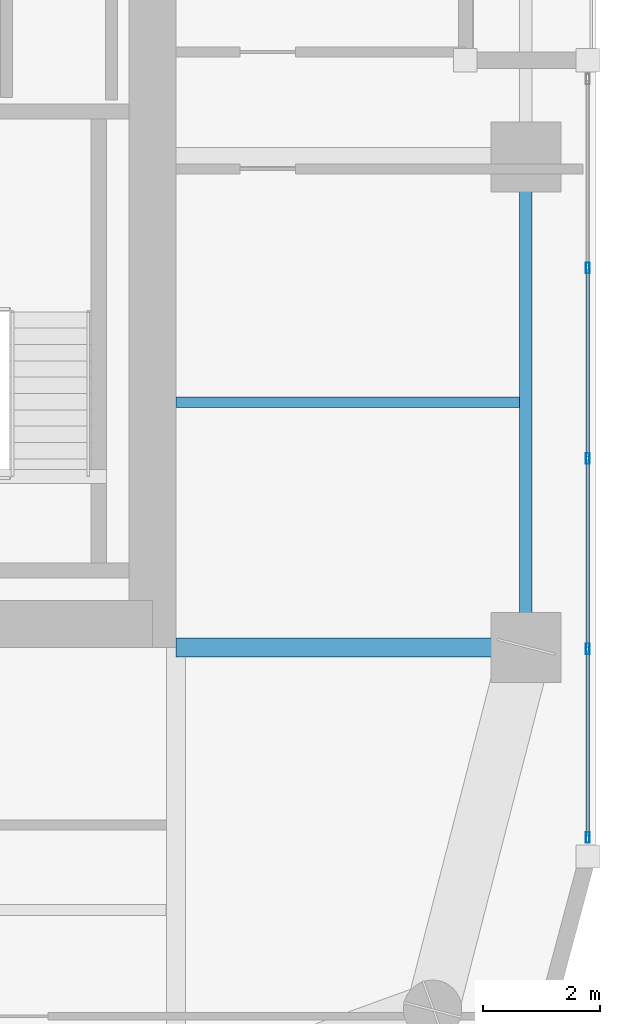
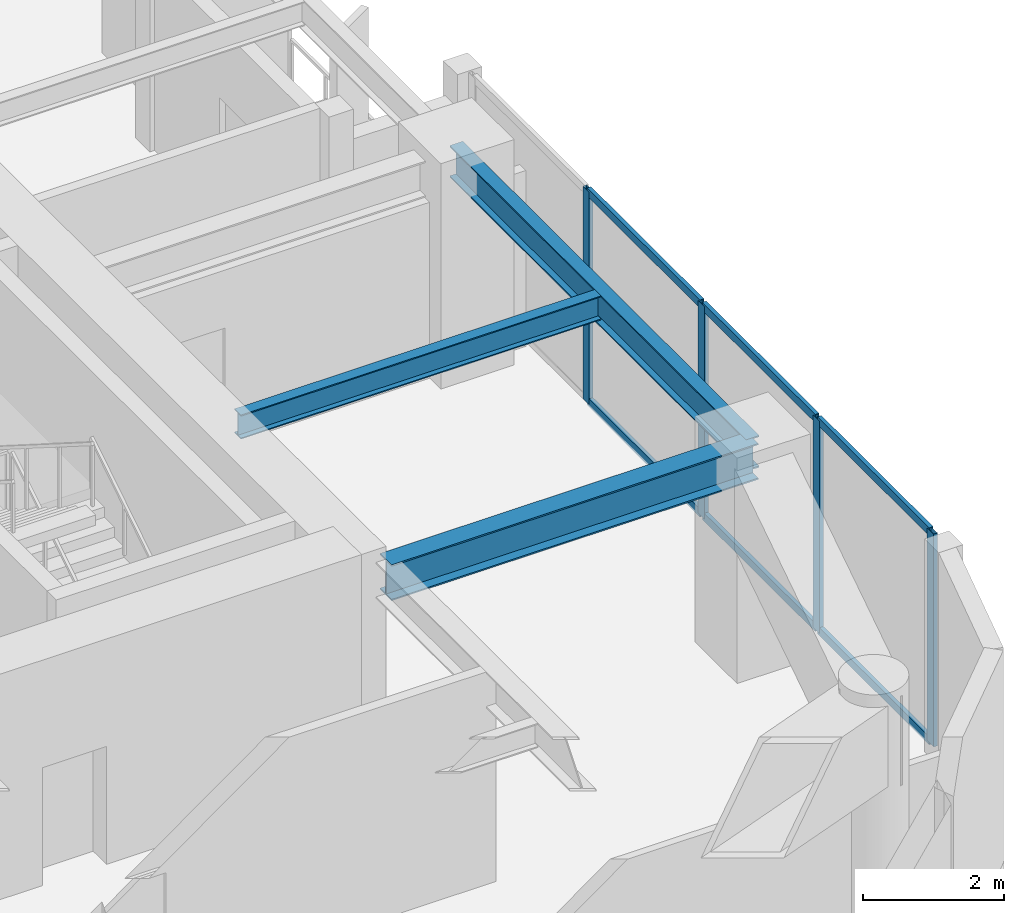
# One storey, part 9 of 30: 10 members, 3 beams, 1 element without a shape of its own.
"""IFC4 building model written with IfcOpenShell, lengths in metres."""

from ifc_helpers import new_model, si_unit, direction, frame, origin, origin_2d, place, context, subcontext, project, spatial, hollow_rectangle, i_section, extrude, material, layer, layer_set, material_profile, profile_set, type_object, element, aggregate, save


model = new_model("IFC4")

# Units and contexts
model_context = context("Model", 3, precision=1e-05, world=origin(), true_north=direction((0.0, 1.0)))
body_context = subcontext(model_context, "Body", "Model", "MODEL_VIEW")
ifc_project = project(units=[si_unit("LENGTHUNIT", "METRE"), si_unit("AREAUNIT", "SQUARE_METRE"), si_unit("VOLUMEUNIT", "CUBIC_METRE"), si_unit("PLANEANGLEUNIT", "RADIAN"), si_unit("MASSUNIT", "GRAM", prefix="KILO")], contexts=[model_context])

# Site, building, storey
site_placement = place(None, origin())
site = spatial("IfcSite", under=ifc_project, at=site_placement, CompositionType="ELEMENT")
building_placement = place(site_placement, origin())
building = spatial("IfcBuilding", under=site, at=building_placement, Name="Kiyonajd Concourse Tower", CompositionType="ELEMENT")
storey_placement = place(building_placement, frame((0.0, 0.0, 174.0)))
storey = spatial("IfcBuildingStorey", under=building, at=storey_placement, Name="L44", CompositionType="ELEMENT", Elevation=174.0)

# Beams
ifc_material_1 = material(Name="Steel ASTM A992 Grade 50", Category="steel")
ifc_material_profile_1 = material_profile(ifc_material_1, i_section(OverallWidth=0.180908203125, OverallDepth=0.4169921875, WebThickness=0.010986328125, FlangeThickness=0.018310546875, at=origin_2d()), Name="W410X85")
ifc_profile_set_1 = profile_set([ifc_material_profile_1], Name="Steel ASTM A992 Grade 50")
beam_type_1 = type_object("IfcBeamType", Name="BM-JST-410", PredefinedType="JOIST", material=ifc_profile_set_1)
beam_1_placement = place(storey_placement, frame((63.60009765625, 31.800048828125, 3.471435546875), z_axis=(1.0, 0.0, 0.0), x_axis=(0.0, 1.0, 0.0)))
element("IfcBeam", 1, at=beam_1_placement, inside=storey, type_object=beam_type_1, Name="L44 East Secondary Floor Joist", PredefinedType="JOIST", context=body_context, shape_type="SweptSolid", body=[
    extrude(i_section(OverallWidth=0.180908203125, OverallDepth=0.4169921875, WebThickness=0.010986328125, FlangeThickness=0.018310546875, at=origin_2d()), origin(), (0.0, 0.0, 1.0), 5.892822265625),
])
ifc_material_profile_2 = material_profile(ifc_material_1, i_section(OverallWidth=0.214111328125, OverallDepth=0.549072265625, WebThickness=0.0146484375, FlangeThickness=0.023681640625, at=origin_2d()), Name="W530X138")
ifc_profile_set_2 = profile_set([ifc_material_profile_2], Name="Steel ASTM A992 Grade 50")
beam_type_2 = type_object("IfcBeamType", Name="BM-SPAN-530A", PredefinedType="SPANDREL", material=ifc_profile_set_2)
beam_2_placement = place(storey_placement, frame((69.60009765625, 27.60009765625, 3.405517578125), z_axis=(0.0, 1.0, 0.0), x_axis=(-1.0, 0.0, 0.0)))
element("IfcBeam", 2, at=beam_2_placement, inside=storey, type_object=beam_type_2, Name="L44 Perimeter Bundled Tube Spandrel", PredefinedType="SPANDREL", context=body_context, shape_type="SweptSolid", body=[
    extrude(i_section(OverallWidth=0.214111328125, OverallDepth=0.549072265625, WebThickness=0.0146484375, FlangeThickness=0.023681640625, at=origin_2d()), origin(), (0.0, 0.0, 1.0), 8.39990234375),
])
ifc_material_profile_3 = material_profile(ifc_material_1, i_section(OverallWidth=0.326904296875, OverallDepth=0.6220703125, WebThickness=0.015380859375, FlangeThickness=0.0244140625, at=origin_2d()), Name="W610X195")
ifc_profile_set_3 = profile_set([ifc_material_profile_3], Name="Steel ASTM A992 Grade 50")
beam_type_3 = type_object("IfcBeamType", Name="BM-TWR-610A", PredefinedType="BEAM", material=ifc_profile_set_3)
beam_3_placement = place(storey_placement, frame((63.60009765625, 27.60009765625, 3.368896484375), z_axis=(1.0, 0.0, 0.0), x_axis=(0.0, 1.0, 0.0)))
element("IfcBeam", 3, at=beam_3_placement, inside=storey, type_object=beam_type_3, Name="L44 East Lease Girder", PredefinedType="BEAM", context=body_context, shape_type="SweptSolid", body=[
    extrude(i_section(OverallWidth=0.326904296875, OverallDepth=0.6220703125, WebThickness=0.015380859375, FlangeThickness=0.0244140625, at=origin_2d()), origin(), (0.0, 0.0, 1.0), 6.0),
])

# Curtain wall, members
ifc_material_2 = material(Name="Thermally Broken Anodised Aluminium", Category="aluminium")
ifc_layer = layer(ifc_material_2, 0.179931640625)
ifc_layer_set = layer_set([ifc_layer], Name="Thermally Broken Anodised Aluminium")
curtain_wall_type = type_object("IfcCurtainWallType", Name="CW-SYS-03", PredefinedType="NOTDEFINED", material=ifc_layer_set)
curtain_wall_placement = place(storey_placement, origin())
curtain_wall = element("IfcCurtainWall", 4, at=curtain_wall_placement, inside=storey, type_object=curtain_wall_type, Name="L44 Unitised Curtain Wall CW3", PredefinedType="NOTDEFINED")
ifc_material_profile_4 = material_profile(ifc_material_2, hollow_rectangle(XDim=0.06494140625, YDim=0.179931640625, WallThickness=0.00390625, at=origin_2d()), Name="MULL-65x180")
ifc_profile_set_4 = profile_set([ifc_material_profile_4], Name="Thermally Broken Anodised Aluminium")
member_type_1 = type_object("IfcMemberType", Name="MB-CW-MULL1", PredefinedType="MULLION", material=ifc_profile_set_4)
member_1_placement = place(storey_placement, frame((70.659912109375, 34.1044921875, 0.0), z_axis=(0.0, 0.0, 1.0), x_axis=(1.0, 0.0, 0.0)))
member_1 = element("IfcMember", 5, at=member_1_placement, type_object=member_type_1, Name="CW3 mullion 2", PredefinedType="MULLION", context=body_context, shape_type="SweptSolid", body=[
    extrude(hollow_rectangle(XDim=0.06494140625, YDim=0.179931640625, WallThickness=0.00390625, at=origin_2d()), origin(), (0.0, 0.0, 1.0), 3.679931640625),
])
member_2_placement = place(storey_placement, frame((70.659912109375, 30.839111328125, 0.0), z_axis=(0.0, 0.0, 1.0), x_axis=(1.0, 0.0, 0.0)))
member_2 = element("IfcMember", 6, at=member_2_placement, type_object=member_type_1, Name="CW3 mullion 3", PredefinedType="MULLION", context=body_context, shape_type="SweptSolid", body=[
    extrude(hollow_rectangle(XDim=0.06494140625, YDim=0.179931640625, WallThickness=0.00390625, at=origin_2d()), origin(), (0.0, 0.0, 1.0), 3.679931640625),
])
member_3_placement = place(storey_placement, frame((70.659912109375, 27.57373046875, 0.0), z_axis=(0.0, 0.0, 1.0), x_axis=(1.0, 0.0, 0.0)))
member_3 = element("IfcMember", 7, at=member_3_placement, type_object=member_type_1, Name="CW3 mullion 4", PredefinedType="MULLION", context=body_context, shape_type="SweptSolid", body=[
    extrude(hollow_rectangle(XDim=0.06494140625, YDim=0.179931640625, WallThickness=0.00390625, at=origin_2d()), origin(), (0.0, 0.0, 1.0), 3.679931640625),
])
member_4_placement = place(storey_placement, frame((70.659912109375, 24.3408203125, 0.0), z_axis=(0.0, 0.0, 1.0), x_axis=(1.0, 0.0, 0.0)))
member_4 = element("IfcMember", 8, at=member_4_placement, type_object=member_type_1, Name="CW3 mullion 5", PredefinedType="MULLION", context=body_context, shape_type="SweptSolid", body=[
    extrude(hollow_rectangle(XDim=0.06494140625, YDim=0.179931640625, WallThickness=0.00390625, at=origin_2d()), origin(), (0.0, 0.0, 1.0), 3.679931640625),
])
ifc_material_profile_5 = material_profile(ifc_material_2, hollow_rectangle(XDim=0.06494140625, YDim=0.139892578125, WallThickness=0.00390625, at=origin_2d()), Name="TRAN-65x140")
ifc_profile_set_5 = profile_set([ifc_material_profile_5], Name="Thermally Broken Anodised Aluminium")
member_type_2 = type_object("IfcMemberType", Name="MB-CW-TRAN1", PredefinedType="USERDEFINED", material=ifc_profile_set_5)
member_5_placement = place(storey_placement, frame((70.659912109375, 34.072021484375, 0.032470703125), z_axis=(0.0, -1.0, 0.0), x_axis=(1.0, 0.0, 0.0)))
member_5 = element("IfcMember", 9, at=member_5_placement, type_object=member_type_2, Name="CW3 transom 2.1", ObjectType="TRANSOM", PredefinedType="USERDEFINED", context=body_context, shape_type="SweptSolid", body=[
    extrude(hollow_rectangle(XDim=0.06494140625, YDim=0.139892578125, WallThickness=0.00390625, at=origin_2d()), origin(), (0.0, 0.0, 1.0), 3.200439453125),
])
member_6_placement = place(storey_placement, frame((70.659912109375, 34.072021484375, 3.6474609375), z_axis=(0.0, -1.0, 0.0), x_axis=(1.0, 0.0, 0.0)))
member_6 = element("IfcMember", 10, at=member_6_placement, type_object=member_type_2, Name="CW3 transom 2.2", ObjectType="TRANSOM", PredefinedType="USERDEFINED", context=body_context, shape_type="SweptSolid", body=[
    extrude(hollow_rectangle(XDim=0.06494140625, YDim=0.139892578125, WallThickness=0.00390625, at=origin_2d()), origin(), (0.0, 0.0, 1.0), 3.200439453125),
])
member_7_placement = place(storey_placement, frame((70.659912109375, 30.806640625, 0.032470703125), z_axis=(0.0, -1.0, 0.0), x_axis=(1.0, 0.0, 0.0)))
member_7 = element("IfcMember", 11, at=member_7_placement, type_object=member_type_2, Name="CW3 transom 3.1", ObjectType="TRANSOM", PredefinedType="USERDEFINED", context=body_context, shape_type="SweptSolid", body=[
    extrude(hollow_rectangle(XDim=0.06494140625, YDim=0.139892578125, WallThickness=0.00390625, at=origin_2d()), origin(), (0.0, 0.0, 1.0), 3.200439453125),
])
member_8_placement = place(storey_placement, frame((70.659912109375, 30.806640625, 3.6474609375), z_axis=(0.0, -1.0, 0.0), x_axis=(1.0, 0.0, 0.0)))
member_8 = element("IfcMember", 12, at=member_8_placement, type_object=member_type_2, Name="CW3 transom 3.2", ObjectType="TRANSOM", PredefinedType="USERDEFINED", context=body_context, shape_type="SweptSolid", body=[
    extrude(hollow_rectangle(XDim=0.06494140625, YDim=0.139892578125, WallThickness=0.00390625, at=origin_2d()), origin(), (0.0, 0.0, 1.0), 3.200439453125),
])
member_9_placement = place(storey_placement, frame((70.659912109375, 27.541259765625, 0.032470703125), z_axis=(0.0, -1.0, 0.0), x_axis=(1.0, 0.0, 0.0)))
member_9 = element("IfcMember", 13, at=member_9_placement, type_object=member_type_2, Name="CW3 transom 4.1", ObjectType="TRANSOM", PredefinedType="USERDEFINED", context=body_context, shape_type="SweptSolid", body=[
    extrude(hollow_rectangle(XDim=0.06494140625, YDim=0.139892578125, WallThickness=0.00390625, at=origin_2d()), origin(), (0.0, 0.0, 1.0), 3.16796875),
])
member_10_placement = place(storey_placement, frame((70.659912109375, 27.541259765625, 3.6474609375), z_axis=(0.0, -1.0, 0.0), x_axis=(1.0, 0.0, 0.0)))
member_10 = element("IfcMember", 14, at=member_10_placement, type_object=member_type_2, Name="CW3 transom 4.2", ObjectType="TRANSOM", PredefinedType="USERDEFINED", context=body_context, shape_type="SweptSolid", body=[
    extrude(hollow_rectangle(XDim=0.06494140625, YDim=0.139892578125, WallThickness=0.00390625, at=origin_2d()), origin(), (0.0, 0.0, 1.0), 3.16796875),
])
aggregate(curtain_wall, [member_1, member_2, member_3, member_4, member_5, member_6, member_7, member_8, member_9, member_10])

save(model, "model.ifc")
